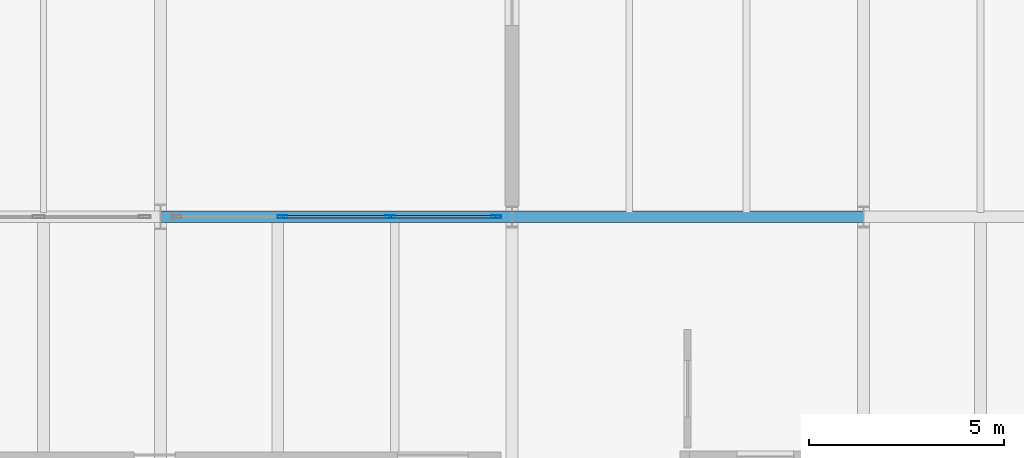
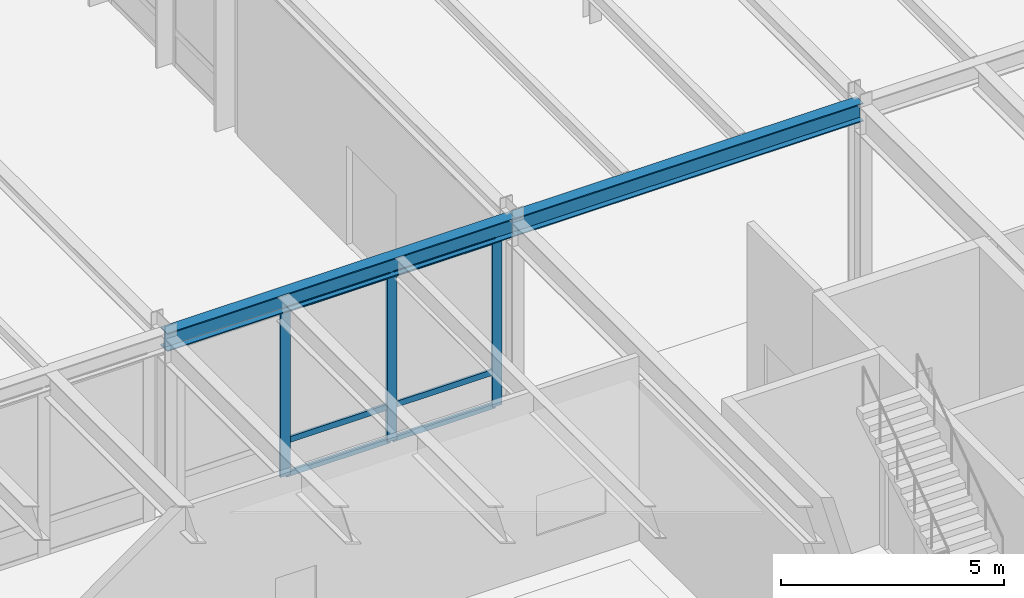
# One storey, part 27 of 143: 9 members, 2 beams, 1 element without a shape of its own.
"""IFC4 building model written with IfcOpenShell, lengths in metres."""

from ifc_helpers import new_model, si_unit, direction, frame, origin, origin_2d, place, context, subcontext, project, spatial, hollow_rectangle, i_section, extrude, material, layer, layer_set, material_profile, profile_set, type_object, element, aggregate, save


model = new_model("IFC4")

# Units and contexts
model_context = context("Model", 3, precision=1e-05, world=origin(), true_north=direction((0.0, 1.0)))
body_context = subcontext(model_context, "Body", "Model", "MODEL_VIEW")
ifc_project = project(units=[si_unit("LENGTHUNIT", "METRE"), si_unit("AREAUNIT", "SQUARE_METRE"), si_unit("VOLUMEUNIT", "CUBIC_METRE"), si_unit("PLANEANGLEUNIT", "RADIAN"), si_unit("MASSUNIT", "GRAM", prefix="KILO")], contexts=[model_context])

# Site, building, storey
site_placement = place(None, origin())
site = spatial("IfcSite", under=ifc_project, at=site_placement, CompositionType="ELEMENT")
building_placement = place(site_placement, origin())
building = spatial("IfcBuilding", under=site, at=building_placement, Name="Montelvaro Courts of Justice", CompositionType="ELEMENT")
storey_placement = place(building_placement, origin())
storey = spatial("IfcBuildingStorey", under=building, at=storey_placement, Name="L00", CompositionType="ELEMENT", Elevation=0.0)

# Beams
ifc_material_1 = material(Name="Steel S355", Category="steel")
ifc_material_profile_1 = material_profile(ifc_material_1, i_section(OverallWidth=0.300048828125, OverallDepth=0.5, WebThickness=0.014404296875, FlangeThickness=0.028076171875, at=origin_2d()), Name="HEB 500")
ifc_profile_set_1 = profile_set([ifc_material_profile_1], Name="Steel S355")
beam_type = type_object("IfcBeamType", Name="Beam_HEB500", PredefinedType="USERDEFINED", material=ifc_profile_set_1)
for number, where, z_axis, x_axis, name in (
    (1, (45.0, 42.0, 4.81005859375), (1.0, 0.0, 0.0), (0.0, 1.0, 0.0), "Beam B-25 L00"),
    (2, (54.0, 42.0, 4.81005859375), (1.0, 0.0, 0.0), (0.0, 1.0, 0.0), "Beam B-25 L00"),
):
    element("IfcBeam", number, at=place(storey_placement, frame(where, z_axis=z_axis, x_axis=x_axis)), inside=storey, type_object=beam_type, Name=name, ObjectType="GIRDER", PredefinedType="USERDEFINED", context=body_context, shape_type="SweptSolid", body=[
        extrude(i_section(OverallWidth=0.300048828125, OverallDepth=0.5, WebThickness=0.014404296875, FlangeThickness=0.028076171875, at=origin_2d()), origin(), (0.0, 0.0, 1.0), 9.0),
    ])

# Curtain wall, members
ifc_material_2 = material(Name="Anodised aluminium EN AW-6063", Category="aluminium")
ifc_layer = layer(ifc_material_2, 0.159912109375)
ifc_layer_set = layer_set([ifc_layer], Name="Anodised aluminium EN AW-6063")
curtain_wall_type = type_object("IfcCurtainWallType", Name="CurtainWall_01_827x508", PredefinedType="USERDEFINED", material=ifc_layer_set)
curtain_wall_placement = place(storey_placement, origin())
curtain_wall = element("IfcCurtainWall", 3, at=curtain_wall_placement, inside=storey, type_object=curtain_wall_type, Name="Curtain Wall CW-01 (L00)", ObjectType="CURTAIN WALL", PredefinedType="USERDEFINED")
ifc_material_profile_2 = material_profile(ifc_material_2, hollow_rectangle(XDim=0.074951171875, YDim=0.25, WallThickness=0.005615234375, at=origin_2d()), Name="ALU-M 75x250")
ifc_profile_set_2 = profile_set([ifc_material_profile_2], Name="Anodised aluminium EN AW-6063")
member_type_1 = type_object("IfcMemberType", Name="CurtainWall_Mullion_75x250", PredefinedType="MULLION", material=ifc_profile_set_2)
member_1_placement = place(storey_placement, frame((53.597412109375, 42.0, 0.0), z_axis=(0.0, 0.0, 1.0), x_axis=(0.0, -1.0, 0.0)))
member_1 = element("IfcMember", 4, at=member_1_placement, type_object=member_type_1, Name="CW-01 mullion 1", PredefinedType="MULLION", context=body_context, shape_type="SweptSolid", body=[
    extrude(hollow_rectangle(XDim=0.074951171875, YDim=0.25, WallThickness=0.005615234375, at=origin_2d()), origin(), (0.0, 0.0, 1.0), 4.554931640625),
])
member_2_placement = place(storey_placement, frame((50.87841796875, 42.0, 0.0), z_axis=(0.0, 0.0, 1.0), x_axis=(0.0, -1.0, 0.0)))
member_2 = element("IfcMember", 5, at=member_2_placement, type_object=member_type_1, Name="CW-01 mullion 2", PredefinedType="MULLION", context=body_context, shape_type="SweptSolid", body=[
    extrude(hollow_rectangle(XDim=0.074951171875, YDim=0.25, WallThickness=0.005615234375, at=origin_2d()), origin(), (0.0, 0.0, 1.0), 4.554931640625),
])
member_3_placement = place(storey_placement, frame((48.12158203125, 42.0, 0.0), z_axis=(0.0, 0.0, 1.0), x_axis=(0.0, -1.0, 0.0)))
member_3 = element("IfcMember", 6, at=member_3_placement, type_object=member_type_1, Name="CW-01 mullion 3", PredefinedType="MULLION", context=body_context, shape_type="SweptSolid", body=[
    extrude(hollow_rectangle(XDim=0.074951171875, YDim=0.25, WallThickness=0.005615234375, at=origin_2d()), origin(), (0.0, 0.0, 1.0), 4.554931640625),
])
ifc_material_profile_3 = material_profile(ifc_material_2, hollow_rectangle(XDim=0.06005859375, YDim=0.159912109375, WallThickness=0.00439453125, at=origin_2d()), Name="ALU-T 60x160")
ifc_profile_set_3 = profile_set([ifc_material_profile_3], Name="Anodised aluminium EN AW-6063")
member_type_2 = type_object("IfcMemberType", Name="CurtainWall_Transom_60x160", PredefinedType="USERDEFINED", material=ifc_profile_set_3)
member_4_placement = place(storey_placement, frame((53.56005859375, 42.0, 0.030029296875), z_axis=(-1.0, 0.0, 0.0), x_axis=(0.0, -1.0, 0.0)))
member_4 = element("IfcMember", 7, at=member_4_placement, type_object=member_type_2, Name="CW-01 transom 1.1", ObjectType="TRANSOM", PredefinedType="USERDEFINED", context=body_context, shape_type="SweptSolid", body=[
    extrude(hollow_rectangle(XDim=0.06005859375, YDim=0.159912109375, WallThickness=0.00439453125, at=origin_2d()), origin(), (0.0, 0.0, 1.0), 2.644287109375),
])
member_5_placement = place(storey_placement, frame((53.56005859375, 42.0, 0.949951171875), z_axis=(-1.0, 0.0, 0.0), x_axis=(0.0, -1.0, 0.0)))
member_5 = element("IfcMember", 8, at=member_5_placement, type_object=member_type_2, Name="CW-01 transom 1.2", ObjectType="TRANSOM", PredefinedType="USERDEFINED", context=body_context, shape_type="SweptSolid", body=[
    extrude(hollow_rectangle(XDim=0.06005859375, YDim=0.159912109375, WallThickness=0.00439453125, at=origin_2d()), origin(), (0.0, 0.0, 1.0), 2.644287109375),
])
member_6_placement = place(storey_placement, frame((53.56005859375, 42.0, 4.52490234375), z_axis=(-1.0, 0.0, 0.0), x_axis=(0.0, -1.0, 0.0)))
member_6 = element("IfcMember", 9, at=member_6_placement, type_object=member_type_2, Name="CW-01 transom 1.3", ObjectType="TRANSOM", PredefinedType="USERDEFINED", context=body_context, shape_type="SweptSolid", body=[
    extrude(hollow_rectangle(XDim=0.06005859375, YDim=0.159912109375, WallThickness=0.00439453125, at=origin_2d()), origin(), (0.0, 0.0, 1.0), 2.644287109375),
])
member_7_placement = place(storey_placement, frame((50.8408203125, 42.0, 0.030029296875), z_axis=(-1.0, 0.0, 0.0), x_axis=(0.0, -1.0, 0.0)))
member_7 = element("IfcMember", 10, at=member_7_placement, type_object=member_type_2, Name="CW-01 transom 2.1", ObjectType="TRANSOM", PredefinedType="USERDEFINED", context=body_context, shape_type="SweptSolid", body=[
    extrude(hollow_rectangle(XDim=0.06005859375, YDim=0.159912109375, WallThickness=0.00439453125, at=origin_2d()), origin(), (0.0, 0.0, 1.0), 2.681640625),
])
member_8_placement = place(storey_placement, frame((50.8408203125, 42.0, 0.949951171875), z_axis=(-1.0, 0.0, 0.0), x_axis=(0.0, -1.0, 0.0)))
member_8 = element("IfcMember", 11, at=member_8_placement, type_object=member_type_2, Name="CW-01 transom 2.2", ObjectType="TRANSOM", PredefinedType="USERDEFINED", context=body_context, shape_type="SweptSolid", body=[
    extrude(hollow_rectangle(XDim=0.06005859375, YDim=0.159912109375, WallThickness=0.00439453125, at=origin_2d()), origin(), (0.0, 0.0, 1.0), 2.681640625),
])
member_9_placement = place(storey_placement, frame((50.8408203125, 42.0, 4.52490234375), z_axis=(-1.0, 0.0, 0.0), x_axis=(0.0, -1.0, 0.0)))
member_9 = element("IfcMember", 12, at=member_9_placement, type_object=member_type_2, Name="CW-01 transom 2.3", ObjectType="TRANSOM", PredefinedType="USERDEFINED", context=body_context, shape_type="SweptSolid", body=[
    extrude(hollow_rectangle(XDim=0.06005859375, YDim=0.159912109375, WallThickness=0.00439453125, at=origin_2d()), origin(), (0.0, 0.0, 1.0), 2.681640625),
])
aggregate(curtain_wall, [member_1, member_2, member_3, member_4, member_5, member_6, member_7, member_8, member_9])

save(model, "model.ifc")
